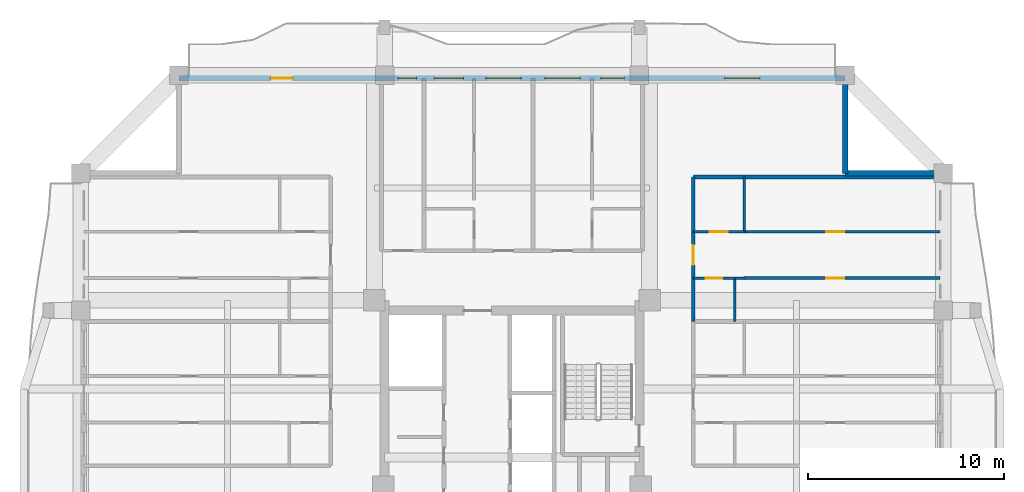
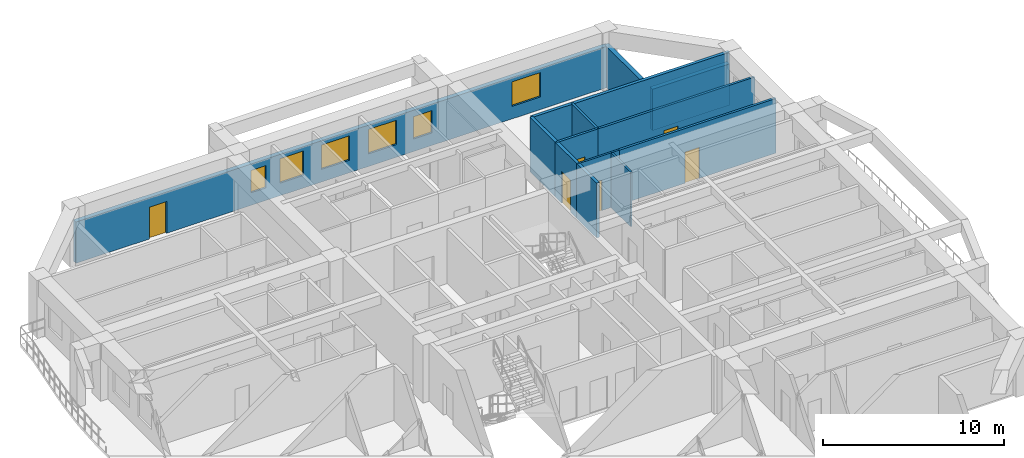
# One storey, part 8 of 15: 14 walls, 6 doors, 6 windows, 12 openings.
"""IFC4 building model written with IfcOpenShell, lengths in metres."""

from ifc_helpers import new_model, si_unit, direction, frame, frame_2d, origin, place, context, subcontext, project, spatial, rectangle, extrude, source, transform, mapped, material, layer, layer_set, type_object, element, fill, save


model = new_model("IFC4")

# Units and contexts
model_context = context("Model", 3, precision=1e-05, world=origin(), true_north=direction((0.0, 1.0)))
body_context = subcontext(model_context, "Body", "Model", "MODEL_VIEW")
ifc_project = project(units=[si_unit("LENGTHUNIT", "METRE"), si_unit("AREAUNIT", "SQUARE_METRE"), si_unit("VOLUMEUNIT", "CUBIC_METRE"), si_unit("PLANEANGLEUNIT", "RADIAN"), si_unit("MASSUNIT", "GRAM", prefix="KILO")], contexts=[model_context])

# Site, building, storey
site_placement = place(None, origin())
site = spatial("IfcSite", under=ifc_project, at=site_placement, CompositionType="ELEMENT")
building_placement = place(site_placement, origin())
building = spatial("IfcBuilding", under=site, at=building_placement, Name="Saelheon Loggia Tower", CompositionType="ELEMENT")
storey_placement = place(building_placement, frame((0.0, 0.0, 159.10009765625)))
storey = spatial("IfcBuildingStorey", under=building, at=storey_placement, Name="L50", CompositionType="ELEMENT", Elevation=159.10009765625)

# Wall, openings, windows, door
ifc_material_1 = material(Name="Architectural Precast Concrete C40/50", Category="concrete")
ifc_layer_1 = layer(ifc_material_1, 0.280029296875)
ifc_layer_set_1 = layer_set([ifc_layer_1], Name="Architectural Precast Concrete C40/50")
wall_type_1 = type_object("IfcWallType", Name="Wall_Ext_Loggia_280", PredefinedType="SOLIDWALL", material=ifc_layer_set_1)
wall_1_placement = place(storey_placement, frame((21.0, 47.860107421875, 0.0), z_axis=(0.0, 0.0, 1.0), x_axis=(1.0, 0.0, 0.0)))
wall_1 = element("IfcWall", 1, at=wall_1_placement, inside=storey, type_object=wall_type_1, Name="L50 North Loggia Inner Wall", PredefinedType="SOLIDWALL", context=body_context, shape_type="SweptSolid", body=[
    extrude(rectangle(XDim=34.0, YDim=0.280029296875, at=frame_2d((17.0, 0.0))), origin(), (0.0, 0.0, 1.0), 2.789794921875),
])
opening_1_placement = place(wall_1_placement, frame((4.699951171875, 0.0, 0.0)))
opening_1 = element("IfcOpeningElement", 2, at=opening_1_placement, cuts=wall_1, Name="Opening TD1", PredefinedType="OPENING", context=body_context, shape_type="SweptSolid", body=[
    extrude(rectangle(XDim=1.10009765625, YDim=2.14990234375, at=frame_2d((0.550048828125, 1.074951171875))), frame((0.0, 0.152099609375, 0.0), z_axis=(0.0, -1.0, 0.0), x_axis=(1.0, 0.0, 0.0)), (0.0, 0.0, 1.0), 0.303955078125),
])
opening_2_placement = place(wall_1_placement, frame((11.1826171875, 0.0, 0.85009765625)))
opening_2 = element("IfcOpeningElement", 3, at=opening_2_placement, cuts=wall_1, Name="Opening WN-04", PredefinedType="OPENING", context=body_context, shape_type="SweptSolid", body=[
    extrude(rectangle(XDim=0.949951171875, YDim=1.5, at=frame_2d((0.47509765625, 0.75))), frame((0.0, 0.152099609375, 0.0), z_axis=(0.0, -1.0, 0.0), x_axis=(1.0, 0.0, 0.0)), (0.0, 0.0, 1.0), 0.303955078125),
])
opening_3_placement = place(wall_1_placement, frame((13.0322265625, 0.0, 0.85009765625)))
opening_3 = element("IfcOpeningElement", 4, at=opening_3_placement, cuts=wall_1, Name="Opening WN-02", PredefinedType="OPENING", context=body_context, shape_type="SweptSolid", body=[
    extrude(rectangle(XDim=1.5, YDim=1.64990234375, at=frame_2d((0.75, 0.824951171875))), frame((0.0, 0.152099609375, 0.0), z_axis=(0.0, -1.0, 0.0), x_axis=(1.0, 0.0, 0.0)), (0.0, 0.0, 1.0), 0.303955078125),
])
opening_4_placement = place(wall_1_placement, frame((15.669921875, 0.0, 0.85009765625)))
opening_4 = element("IfcOpeningElement", 5, at=opening_4_placement, cuts=wall_1, Name="Opening WN-01", PredefinedType="OPENING", context=body_context, shape_type="SweptSolid", body=[
    extrude(rectangle(XDim=1.800048828125, YDim=1.64990234375, at=frame_2d((0.89990234375, 0.824951171875))), frame((0.0, 0.152099609375, 0.0), z_axis=(0.0, -1.0, 0.0), x_axis=(1.0, 0.0, 0.0)), (0.0, 0.0, 1.0), 0.303955078125),
])
opening_5_placement = place(wall_1_placement, frame((18.680419921875, 0.0, 0.85009765625)))
opening_5 = element("IfcOpeningElement", 6, at=opening_5_placement, cuts=wall_1, Name="Opening WN-01", PredefinedType="OPENING", context=body_context, shape_type="SweptSolid", body=[
    extrude(rectangle(XDim=1.800048828125, YDim=1.64990234375, at=frame_2d((0.89990234375, 0.824951171875))), frame((0.0, 0.152099609375, 0.0), z_axis=(0.0, -1.0, 0.0), x_axis=(1.0, 0.0, 0.0)), (0.0, 0.0, 1.0), 0.303955078125),
])
opening_6_placement = place(wall_1_placement, frame((21.535400390625, 0.0, 0.85009765625)))
opening_6 = element("IfcOpeningElement", 7, at=opening_6_placement, cuts=wall_1, Name="Opening WN-03", PredefinedType="OPENING", context=body_context, shape_type="SweptSolid", body=[
    extrude(rectangle(XDim=1.199951171875, YDim=1.5, at=frame_2d((0.60009765625, 0.75))), frame((0.0, 0.152099609375, 0.0), z_axis=(0.0, -1.0, 0.0), x_axis=(1.0, 0.0, 0.0)), (0.0, 0.0, 1.0), 0.303955078125),
])
opening_7_placement = place(wall_1_placement, frame((27.85009765625, 0.0, 0.85009765625)))
opening_7 = element("IfcOpeningElement", 8, at=opening_7_placement, cuts=wall_1, Name="Opening WN-01", PredefinedType="OPENING", context=body_context, shape_type="SweptSolid", body=[
    extrude(rectangle(XDim=1.800048828125, YDim=1.64990234375, at=frame_2d((0.89990234375, 0.824951171875))), frame((0.0, 0.152099609375, 0.0), z_axis=(0.0, -1.0, 0.0), x_axis=(1.0, 0.0, 0.0)), (0.0, 0.0, 1.0), 0.303955078125),
])
ifc_material_2 = material(Name="Thermal-Break Aluminium and Triple Low-E Glass", Category="aluminium")
window_type_1 = type_object("IfcWindowType", Name="Win_Dwelling_1800x1650", PartitioningType="SINGLE_PANEL", PredefinedType="WINDOW", material=ifc_material_2)
shared_shape_1 = source(origin(), body_context, "Body", "SweptSolid", [
    extrude(rectangle(XDim=1.800048828125, YDim=1.64990234375, at=frame_2d((0.89990234375, 0.824951171875))), frame((0.0, 0.030029296875, 0.0), z_axis=(0.0, -1.0, 0.0), x_axis=(1.0, 0.0, 0.0)), (0.0, 0.0, 1.0), 0.06005859375),
])
window_1_placement = place(opening_4_placement, origin())
window_1 = element("IfcWindow", 9, at=window_1_placement, inside=storey, type_object=window_type_1, Name="L50 N Dwelling Window 4", OverallHeight=1.64990234375, OverallWidth=1.800048828125, PartitioningType="SINGLE_PANEL", PredefinedType="WINDOW", context=body_context, shape_type="MappedRepresentation", body=[
    mapped(shared_shape_1, transform((0.0, 0.0, 0.0), scale=1.0)),
])
fill(opening_4, window_1)
window_2_placement = place(opening_5_placement, origin())
window_2 = element("IfcWindow", 10, at=window_2_placement, inside=storey, type_object=window_type_1, Name="L50 N Dwelling Window 5", OverallHeight=1.64990234375, OverallWidth=1.800048828125, PartitioningType="SINGLE_PANEL", PredefinedType="WINDOW", context=body_context, shape_type="MappedRepresentation", body=[
    mapped(shared_shape_1, transform((0.0, 0.0, 0.0), scale=1.0)),
])
fill(opening_5, window_2)
window_3_placement = place(opening_7_placement, origin())
window_3 = element("IfcWindow", 11, at=window_3_placement, inside=storey, type_object=window_type_1, Name="L50 N Dwelling Window 7", OverallHeight=1.64990234375, OverallWidth=1.800048828125, PartitioningType="SINGLE_PANEL", PredefinedType="WINDOW", context=body_context, shape_type="MappedRepresentation", body=[
    mapped(shared_shape_1, transform((0.0, 0.0, 0.0), scale=1.0)),
])
fill(opening_7, window_3)
window_type_2 = type_object("IfcWindowType", Name="Win_Bedroom_1200x1500", PartitioningType="SINGLE_PANEL", PredefinedType="WINDOW", material=ifc_material_2)
shared_shape_2 = source(origin(), body_context, "Body", "SweptSolid", [
    extrude(rectangle(XDim=1.199951171875, YDim=1.5, at=frame_2d((0.60009765625, 0.75))), frame((0.0, 0.030029296875, 0.0), z_axis=(0.0, -1.0, 0.0), x_axis=(1.0, 0.0, 0.0)), (0.0, 0.0, 1.0), 0.06005859375),
])
window_4_placement = place(opening_6_placement, origin())
window_4 = element("IfcWindow", 12, at=window_4_placement, inside=storey, type_object=window_type_2, Name="L50 N Dwelling Window 6", OverallHeight=1.5, OverallWidth=1.199951171875, PartitioningType="SINGLE_PANEL", PredefinedType="WINDOW", context=body_context, shape_type="MappedRepresentation", body=[
    mapped(shared_shape_2, transform((0.0, 0.0, 0.0), scale=1.0)),
])
fill(opening_6, window_4)
ifc_material_3 = material(Name="Thermal-Break Aluminium Glazed Door", Category="aluminium")
door_type_1 = type_object("IfcDoorType", Name="Door_Terrace_TD1", OperationType="NOTDEFINED", PredefinedType="DOOR", material=ifc_material_3)
shared_shape_3 = source(origin(), body_context, "Body", "SweptSolid", [
    extrude(rectangle(XDim=1.10009765625, YDim=2.14990234375, at=frame_2d((0.550048828125, 1.074951171875))), frame((0.0, 0.02490234375, 0.0), z_axis=(0.0, -1.0, 0.0), x_axis=(1.0, 0.0, 0.0)), (0.0, 0.0, 1.0), 0.050048828125),
])
door_1_placement = place(opening_1_placement, origin())
door_1 = element("IfcDoor", 13, at=door_1_placement, inside=storey, type_object=door_type_1, Name="L50 N Loggia Access Door", OperationType="SINGLE_SWING_LEFT", OverallHeight=2.14990234375, OverallWidth=1.10009765625, PredefinedType="DOOR", context=body_context, shape_type="MappedRepresentation", body=[
    mapped(shared_shape_3, transform((0.0, 0.0, 0.0), scale=1.0)),
])
fill(opening_1, door_1)
window_type_3 = type_object("IfcWindowType", Name="Win_Narrow_950x1500", PartitioningType="SINGLE_PANEL", PredefinedType="WINDOW", material=ifc_material_2)
shared_shape_4 = source(origin(), body_context, "Body", "SweptSolid", [
    extrude(rectangle(XDim=0.949951171875, YDim=1.5, at=frame_2d((0.47509765625, 0.75))), frame((0.0, 0.030029296875, 0.0), z_axis=(0.0, -1.0, 0.0), x_axis=(1.0, 0.0, 0.0)), (0.0, 0.0, 1.0), 0.06005859375),
])
window_5_placement = place(opening_2_placement, origin())
window_5 = element("IfcWindow", 14, at=window_5_placement, inside=storey, type_object=window_type_3, Name="L50 N Dwelling Window 2", OverallHeight=1.5, OverallWidth=0.949951171875, PartitioningType="SINGLE_PANEL", PredefinedType="WINDOW", context=body_context, shape_type="MappedRepresentation", body=[
    mapped(shared_shape_4, transform((0.0, 0.0, 0.0), scale=1.0)),
])
fill(opening_2, window_5)
window_type_4 = type_object("IfcWindowType", Name="Win_Dwelling_1500x1650", PartitioningType="SINGLE_PANEL", PredefinedType="WINDOW", material=ifc_material_2)
shared_shape_5 = source(origin(), body_context, "Body", "SweptSolid", [
    extrude(rectangle(XDim=1.5, YDim=1.64990234375, at=frame_2d((0.75, 0.824951171875))), frame((0.0, 0.030029296875, 0.0), z_axis=(0.0, -1.0, 0.0), x_axis=(1.0, 0.0, 0.0)), (0.0, 0.0, 1.0), 0.06005859375),
])
window_6_placement = place(opening_3_placement, origin())
window_6 = element("IfcWindow", 15, at=window_6_placement, inside=storey, type_object=window_type_4, Name="L50 N Dwelling Window 3", OverallHeight=1.64990234375, OverallWidth=1.5, PartitioningType="SINGLE_PANEL", PredefinedType="WINDOW", context=body_context, shape_type="MappedRepresentation", body=[
    mapped(shared_shape_5, transform((0.0, 0.0, 0.0), scale=1.0)),
])
fill(opening_3, window_6)

# Walls
for number, where, z_axis, x_axis, name in (
    (16, (55.0, 43.0, 0.0), (0.0, 0.0, 1.0), (0.0, 1.0, 0.0), "L50 Corner Notch Precast Wall NE1"),
    (17, (55.0, 43.0, 0.0), (0.0, 0.0, 1.0), (1.0, 0.0, 0.0), "L50 Corner Notch Precast Wall NE2"),
):
    element("IfcWall", number, at=place(storey_placement, frame(where, z_axis=z_axis, x_axis=x_axis)), inside=storey, type_object=wall_type_1, Name=name, PredefinedType="SOLIDWALL", context=body_context, shape_type="SweptSolid", body=[
        extrude(rectangle(XDim=4.919921875, YDim=0.280029296875, at=frame_2d((2.4599609375, 0.0))), origin(), (0.0, 0.0, 1.0), 2.789794921875),
    ])
ifc_material_4 = material(Name="Lightweight Autoclaved Aerated Concrete Block and Acoustic Gypsum", Category="concrete")
ifc_layer_2 = layer(ifc_material_4, 0.14990234375)
ifc_layer_set_2 = layer_set([ifc_layer_2], Name="Lightweight Autoclaved Aerated Concrete Block and Acoustic Gypsum")
wall_type_2 = type_object("IfcWallType", Name="Wall_Part_150", PredefinedType="PARTITIONING", material=ifc_layer_set_2)
wall_2_placement = place(storey_placement, frame((49.85009765625, 40.019287109375, 0.0), z_axis=(0.0, 0.0, 1.0), x_axis=(0.0, 1.0, 0.0)))
element("IfcWall", 18, at=wall_2_placement, inside=storey, type_object=wall_type_2, Name="L50 EN Partition V18", PredefinedType="PARTITIONING", context=body_context, shape_type="SweptSolid", body=[
    extrude(rectangle(XDim=2.80078125, YDim=0.14990234375, at=frame_2d((1.400390625, 0.0))), origin(), (0.0, 0.0, 1.0), 3.68994140625),
])

# Wall, opening, door
wall_3_placement = place(storey_placement, frame((49.85009765625, 37.64990234375, 0.0), z_axis=(0.0, 0.0, 1.0), x_axis=(1.0, 0.0, 0.0)))
wall_3 = element("IfcWall", 19, at=wall_3_placement, inside=storey, type_object=wall_type_2, Name="L50 EN Partition U21", PredefinedType="PARTITIONING", context=body_context, shape_type="SweptSolid", body=[
    extrude(rectangle(XDim=10.0, YDim=0.14990234375, at=frame_2d((5.0, 0.0))), origin(), (0.0, 0.0, 1.0), 3.68994140625),
])
opening_8_placement = place(wall_3_placement, frame((4.19091796875, 0.0, 0.0)))
opening_8 = element("IfcOpeningElement", 20, at=opening_8_placement, cuts=wall_3, Name="Opening D-IN2", PredefinedType="OPENING", context=body_context, shape_type="SweptSolid", body=[
    extrude(rectangle(XDim=0.89990234375, YDim=2.10009765625, at=frame_2d((0.449951171875, 1.050048828125))), frame((0.0, 0.0869140625, 0.0), z_axis=(0.0, -1.0, 0.0), x_axis=(1.0, 0.0, 0.0)), (0.0, 0.0, 1.0), 0.173828125),
])
ifc_material_5 = material(Name="Engineered Oak Flush Door", Category="timber")
door_type_2 = type_object("IfcDoorType", Name="Door_Int_900", OperationType="NOTDEFINED", PredefinedType="DOOR", material=ifc_material_5)
shared_shape_6 = source(origin(), body_context, "Body", "SweptSolid", [
    extrude(rectangle(XDim=0.89990234375, YDim=2.10009765625, at=frame_2d((0.449951171875, 1.050048828125))), frame((0.0, 0.02490234375, 0.0), z_axis=(0.0, -1.0, 0.0), x_axis=(1.0, 0.0, 0.0)), (0.0, 0.0, 1.0), 0.050048828125),
])
door_2_placement = place(opening_8_placement, origin())
door_2 = element("IfcDoor", 21, at=door_2_placement, inside=storey, type_object=door_type_2, Name="Unit U12 Kitchen Door", OperationType="SINGLE_SWING_LEFT", OverallHeight=2.10009765625, OverallWidth=0.89990234375, PredefinedType="DOOR", context=body_context, shape_type="MappedRepresentation", body=[
    mapped(shared_shape_6, transform((0.0, 0.0, 0.0), scale=1.0)),
])
fill(opening_8, door_2)

wall_4_placement = place(storey_placement, frame((47.25, 40.019287109375, 0.0), z_axis=(0.0, 0.0, 1.0), x_axis=(1.0, 0.0, 0.0)))
wall_4 = element("IfcWall", 22, at=wall_4_placement, inside=storey, type_object=wall_type_2, Name="L50 EN Partition U22", PredefinedType="PARTITIONING", context=body_context, shape_type="SweptSolid", body=[
    extrude(rectangle(XDim=2.60009765625, YDim=0.14990234375, at=frame_2d((1.300048828125, 0.0))), origin(), (0.0, 0.0, 1.0), 3.68994140625),
])
opening_9_placement = place(wall_4_placement, frame((0.85009765625, 0.0, 0.0)))
opening_9 = element("IfcOpeningElement", 23, at=opening_9_placement, cuts=wall_4, Name="Opening D-IN2", PredefinedType="OPENING", context=body_context, shape_type="SweptSolid", body=[
    extrude(rectangle(XDim=0.89990234375, YDim=2.10009765625, at=frame_2d((0.449951171875, 1.050048828125))), frame((0.0, 0.0869140625, 0.0), z_axis=(0.0, -1.0, 0.0), x_axis=(1.0, 0.0, 0.0)), (0.0, 0.0, 1.0), 0.173828125),
])
door_3_placement = place(opening_9_placement, origin())
door_3 = element("IfcDoor", 24, at=door_3_placement, inside=storey, type_object=door_type_2, Name="Unit U12 Dressing Closet Door", OperationType="SINGLE_SWING_RIGHT", OverallHeight=2.10009765625, OverallWidth=0.89990234375, PredefinedType="DOOR", context=body_context, shape_type="MappedRepresentation", body=[
    mapped(shared_shape_6, transform((0.0, 0.0, 0.0), scale=1.0)),
])
fill(opening_9, door_3)

wall_5_placement = place(storey_placement, frame((49.85009765625, 40.019287109375, 0.0), z_axis=(0.0, 0.0, 1.0), x_axis=(1.0, 0.0, 0.0)))
wall_5 = element("IfcWall", 25, at=wall_5_placement, inside=storey, type_object=wall_type_2, Name="L50 EN Partition U23", PredefinedType="PARTITIONING", context=body_context, shape_type="SweptSolid", body=[
    extrude(rectangle(XDim=10.0, YDim=0.14990234375, at=frame_2d((5.0, 0.0))), origin(), (0.0, 0.0, 1.0), 3.68994140625),
])
opening_10_placement = place(wall_5_placement, frame((4.19091796875, 0.0, 0.0)))
opening_10 = element("IfcOpeningElement", 26, at=opening_10_placement, cuts=wall_5, Name="Opening D-IN2", PredefinedType="OPENING", context=body_context, shape_type="SweptSolid", body=[
    extrude(rectangle(XDim=0.89990234375, YDim=2.10009765625, at=frame_2d((0.449951171875, 1.050048828125))), frame((0.0, 0.0869140625, 0.0), z_axis=(0.0, -1.0, 0.0), x_axis=(1.0, 0.0, 0.0)), (0.0, 0.0, 1.0), 0.173828125),
])
door_4_placement = place(opening_10_placement, origin())
door_4 = element("IfcDoor", 27, at=door_4_placement, inside=storey, type_object=door_type_2, Name="Unit U12 Bedroom 1 Door", OperationType="SINGLE_SWING_LEFT", OverallHeight=2.10009765625, OverallWidth=0.89990234375, PredefinedType="DOOR", context=body_context, shape_type="MappedRepresentation", body=[
    mapped(shared_shape_6, transform((0.0, 0.0, 0.0), scale=1.0)),
])
fill(opening_10, door_4)

# Walls
ifc_material_6 = material(Name="Double Acoustic Stud and Fireboard Partition", Category="gypsum")
ifc_layer_3 = layer(ifc_material_6, 0.199951171875)
ifc_layer_set_3 = layer_set([ifc_layer_3], Name="Double Acoustic Stud and Fireboard Partition")
wall_type_3 = type_object("IfcWallType", Name="Wall_Party_200", PredefinedType="PARTITIONING", material=ifc_layer_set_3)
wall_6_placement = place(storey_placement, frame((47.25, 42.820068359375, 0.0), z_axis=(0.0, 0.0, 1.0), x_axis=(1.0, 0.0, 0.0)))
element("IfcWall", 28, at=wall_6_placement, inside=storey, type_object=wall_type_3, Name="L50 EN Partition U02", PredefinedType="PARTITIONING", context=body_context, shape_type="SweptSolid", body=[
    extrude(rectangle(XDim=12.60009765625, YDim=0.199951171875, at=frame_2d((6.300048828125, 0.0))), origin(), (0.0, 0.0, 1.0), 3.68994140625),
])
wall_7_placement = place(storey_placement, frame((47.25, 35.449951171875, 0.0), z_axis=(0.0, 0.0, 1.0), x_axis=(0.0, 1.0, 0.0)))
element("IfcWall", 29, at=wall_7_placement, inside=storey, type_object=wall_type_3, Name="L50 EN Partition V14", PredefinedType="PARTITIONING", context=body_context, shape_type="SweptSolid", body=[
    extrude(rectangle(XDim=2.199951171875, YDim=0.199951171875, at=frame_2d((1.10009765625, 0.0))), origin(), (0.0, 0.0, 1.0), 3.68994140625),
])

# Wall, opening, door
wall_8_placement = place(storey_placement, frame((47.25, 37.64990234375, 0.0), z_axis=(0.0, 0.0, 1.0), x_axis=(0.0, 1.0, 0.0)))
wall_8 = element("IfcWall", 30, at=wall_8_placement, inside=storey, type_object=wall_type_3, Name="L50 EN Partition V15", PredefinedType="PARTITIONING", context=body_context, shape_type="SweptSolid", body=[
    extrude(rectangle(XDim=2.369384765625, YDim=0.199951171875, at=frame_2d((1.1845703125, 0.0))), origin(), (0.0, 0.0, 1.0), 3.68994140625),
])
opening_11_placement = place(wall_8_placement, frame((0.684814453125, 0.0, 0.0)))
opening_11 = element("IfcOpeningElement", 31, at=opening_11_placement, cuts=wall_8, Name="Opening D-FD1", PredefinedType="OPENING", context=body_context, shape_type="SweptSolid", body=[
    extrude(rectangle(XDim=1.0, YDim=2.14990234375, at=frame_2d((0.5, 1.074951171875))), frame((0.0, 0.112060546875, 0.0), z_axis=(0.0, -1.0, 0.0), x_axis=(1.0, 0.0, 0.0)), (0.0, 0.0, 1.0), 0.223876953125),
])
ifc_material_7 = material(Name="Fire-Rated Engineered Timber Entrance Door", Category="wood")
door_type_3 = type_object("IfcDoorType", Name="Door_Flat_FD30S", OperationType="NOTDEFINED", PredefinedType="DOOR", material=ifc_material_7)
shared_shape_7 = source(origin(), body_context, "Body", "SweptSolid", [
    extrude(rectangle(XDim=1.0, YDim=2.14990234375, at=frame_2d((0.5, 1.074951171875))), frame((0.0, 0.02490234375, 0.0), z_axis=(0.0, -1.0, 0.0), x_axis=(1.0, 0.0, 0.0)), (0.0, 0.0, 1.0), 0.050048828125),
])
door_5_placement = place(opening_11_placement, origin())
door_5 = element("IfcDoor", 32, at=door_5_placement, inside=storey, type_object=door_type_3, Name="Unit U12 Entrance Door", OperationType="SINGLE_SWING_LEFT", OverallHeight=2.14990234375, OverallWidth=1.0, PredefinedType="DOOR", context=body_context, shape_type="MappedRepresentation", body=[
    mapped(shared_shape_7, transform((0.0, 0.0, 0.0), scale=1.0)),
])
fill(opening_11, door_5)

# Walls
wall_9_placement = place(storey_placement, frame((47.25, 40.019287109375, 0.0), z_axis=(0.0, 0.0, 1.0), x_axis=(0.0, 1.0, 0.0)))
element("IfcWall", 33, at=wall_9_placement, inside=storey, type_object=wall_type_3, Name="L50 EN Partition V16", PredefinedType="PARTITIONING", context=body_context, shape_type="SweptSolid", body=[
    extrude(rectangle(XDim=2.80078125, YDim=0.199951171875, at=frame_2d((1.400390625, 0.0))), origin(), (0.0, 0.0, 1.0), 3.68994140625),
])
ifc_material_8 = material(Name="Moisture-Resistant Cement Board Partition", Category="gypsum")
ifc_layer_4 = layer(ifc_material_8, 0.1201171875)
ifc_layer_set_4 = layer_set([ifc_layer_4], Name="Moisture-Resistant Cement Board Partition")
wall_type_4 = type_object("IfcWallType", Name="Wall_WetPart_120", PredefinedType="PARTITIONING", material=ifc_layer_set_4)
wall_10_placement = place(storey_placement, frame((49.3701171875, 35.449951171875, 0.0), z_axis=(0.0, 0.0, 1.0), x_axis=(0.0, 1.0, 0.0)))
element("IfcWall", 34, at=wall_10_placement, inside=storey, type_object=wall_type_4, Name="L50 EN Partition V17", PredefinedType="PARTITIONING", context=body_context, shape_type="SweptSolid", body=[
    extrude(rectangle(XDim=2.199951171875, YDim=0.1201171875, at=frame_2d((1.10009765625, 0.0))), origin(), (0.0, 0.0, 1.0), 3.68994140625),
])

# Wall, opening, door
wall_11_placement = place(storey_placement, frame((47.25, 37.64990234375, 0.0), z_axis=(0.0, 0.0, 1.0), x_axis=(1.0, 0.0, 0.0)))
wall_11 = element("IfcWall", 35, at=wall_11_placement, inside=storey, type_object=wall_type_4, Name="L50 EN Partition U19", PredefinedType="PARTITIONING", context=body_context, shape_type="SweptSolid", body=[
    extrude(rectangle(XDim=2.1201171875, YDim=0.1201171875, at=frame_2d((1.06005859375, 0.0))), origin(), (0.0, 0.0, 1.0), 3.68994140625),
])
opening_12_placement = place(wall_11_placement, frame((0.635009765625, 0.0, 0.0)))
opening_12 = element("IfcOpeningElement", 36, at=opening_12_placement, cuts=wall_11, Name="Opening D-BT1", PredefinedType="OPENING", context=body_context, shape_type="SweptSolid", body=[
    extrude(rectangle(XDim=0.85009765625, YDim=2.050048828125, at=frame_2d((0.425048828125, 1.02490234375))), frame((0.0, 0.072021484375, 0.0), z_axis=(0.0, -1.0, 0.0), x_axis=(1.0, 0.0, 0.0)), (0.0, 0.0, 1.0), 0.14404296875),
])
ifc_material_9 = material(Name="Moisture-Resistant Laminate Timber Door", Category="wood")
door_type_4 = type_object("IfcDoorType", Name="Door_Bath_850", OperationType="NOTDEFINED", PredefinedType="DOOR", material=ifc_material_9)
shared_shape_8 = source(origin(), body_context, "Body", "SweptSolid", [
    extrude(rectangle(XDim=0.85009765625, YDim=2.050048828125, at=frame_2d((0.425048828125, 1.02490234375))), frame((0.0, 0.02490234375, 0.0), z_axis=(0.0, -1.0, 0.0), x_axis=(1.0, 0.0, 0.0)), (0.0, 0.0, 1.0), 0.050048828125),
])
door_6_placement = place(opening_12_placement, origin())
door_6 = element("IfcDoor", 37, at=door_6_placement, inside=storey, type_object=door_type_4, Name="Unit U12 Bathroom Door", OperationType="SINGLE_SWING_RIGHT", OverallHeight=2.050048828125, OverallWidth=0.85009765625, PredefinedType="DOOR", context=body_context, shape_type="MappedRepresentation", body=[
    mapped(shared_shape_8, transform((0.0, 0.0, 0.0), scale=1.0)),
])
fill(opening_12, door_6)

# Wall
wall_12_placement = place(storey_placement, frame((49.3701171875, 37.64990234375, 0.0), z_axis=(0.0, 0.0, 1.0), x_axis=(1.0, 0.0, 0.0)))
element("IfcWall", 38, at=wall_12_placement, inside=storey, type_object=wall_type_4, Name="L50 EN Partition U20", PredefinedType="PARTITIONING", context=body_context, shape_type="SweptSolid", body=[
    extrude(rectangle(XDim=0.47998046875, YDim=0.1201171875, at=frame_2d((0.239990234375, 0.0))), origin(), (0.0, 0.0, 1.0), 3.68994140625),
])

save(model, "model.ifc")
